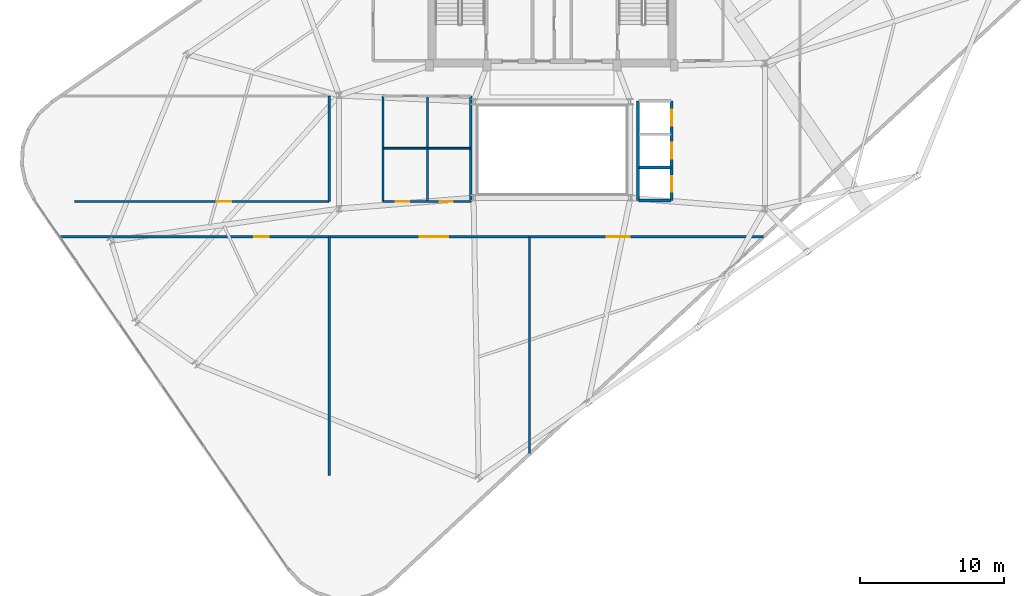
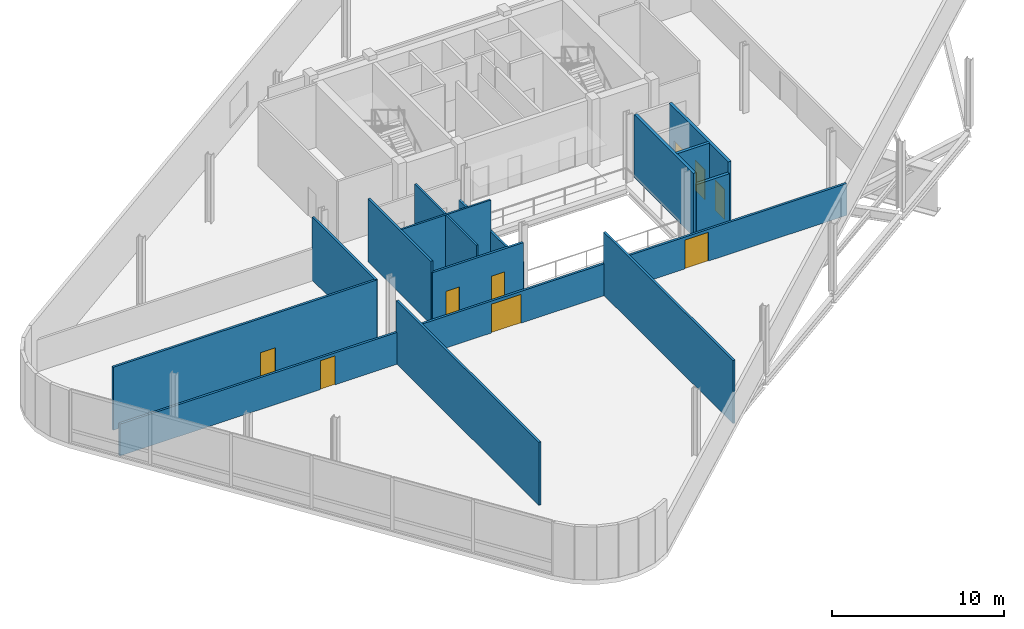
# One storey, part 11 of 15: 14 walls, 9 doors, 9 openings.
"""IFC4 building model written with IfcOpenShell, lengths in metres."""

from ifc_helpers import new_model, si_unit, direction, frame, frame_2d, origin, place, context, subcontext, project, spatial, rectangle, extrude, material, layer, layer_set, type_object, element, fill, save


model = new_model("IFC4")

# Units and contexts
model_context = context("Model", 3, precision=1e-05, world=origin(), true_north=direction((0.0, 1.0)))
body_context = subcontext(model_context, "Body", "Model", "MODEL_VIEW")
ifc_project = project(units=[si_unit("LENGTHUNIT", "METRE"), si_unit("AREAUNIT", "SQUARE_METRE"), si_unit("VOLUMEUNIT", "CUBIC_METRE"), si_unit("PLANEANGLEUNIT", "RADIAN"), si_unit("MASSUNIT", "GRAM", prefix="KILO")], contexts=[model_context])

# Site, building, storey
site_placement = place(None, origin())
site = spatial("IfcSite", under=ifc_project, at=site_placement, CompositionType="ELEMENT")
building_placement = place(site_placement, origin())
building = spatial("IfcBuilding", under=site, at=building_placement, Name="Varnelok Gate Tower", CompositionType="ELEMENT")
storey_placement = place(building_placement, frame((0.0, 0.0, 291.5)))
storey = spatial("IfcBuildingStorey", under=building, at=storey_placement, Name="L75", CompositionType="ELEMENT", Elevation=291.5)

# Walls
ifc_material_1 = material(Name="Gypsum Plasterboard Acoustic Partition", Category="gypsum")
ifc_layer_1 = layer(ifc_material_1, 0.125)
ifc_layer_set_1 = layer_set([ifc_layer_1], Name="Gypsum Plasterboard Acoustic Partition")
wall_type_1 = type_object("IfcWallType", Name="PW-PART-125", PredefinedType="PARTITIONING", material=ifc_layer_set_1)
wall_1_placement = place(storey_placement, frame((30.550048828125, 19.3798828125, 0.0), z_axis=(0.0, 0.0, 1.0), x_axis=(0.0, 1.0, 0.0)))
element("IfcWall", 1, at=wall_1_placement, inside=storey, type_object=wall_type_1, Name="Interior Partition", PredefinedType="PARTITIONING", context=body_context, shape_type="SweptSolid", body=[
    extrude(rectangle(XDim=7.18017578125, YDim=0.125, at=frame_2d((3.590087890625, 0.0))), origin(), (0.0, 0.0, 1.0), 4.47998046875),
])
wall_2_placement = place(storey_placement, frame((27.52001953125, 23.0, 0.0), z_axis=(0.0, 0.0, 1.0), x_axis=(1.0, 0.0, 0.0)))
element("IfcWall", 2, at=wall_2_placement, inside=storey, type_object=wall_type_1, Name="Interior Partition", PredefinedType="PARTITIONING", context=body_context, shape_type="SweptSolid", body=[
    extrude(rectangle(XDim=6.0, YDim=0.125, at=frame_2d((3.0, 0.0))), origin(), (0.0, 0.0, 1.0), 4.47998046875),
])

# Wall, openings, doors
ifc_layer_2 = layer(ifc_material_1, 0.14990234375)
ifc_layer_set_2 = layer_set([ifc_layer_2], Name="Gypsum Plasterboard Acoustic Partition")
wall_type_2 = type_object("IfcWallType", Name="PW-PART-150", PredefinedType="PARTITIONING", material=ifc_layer_set_2)
wall_3_placement = place(storey_placement, frame((27.4599609375, 19.300048828125, 0.0), z_axis=(0.0, 0.0, 1.0), x_axis=(1.0, 0.0, 0.0)))
wall_3 = element("IfcWall", 3, at=wall_3_placement, inside=storey, type_object=wall_type_2, Name="Interior Partition", PredefinedType="PARTITIONING", context=body_context, shape_type="SweptSolid", body=[
    extrude(rectangle(XDim=6.10009765625, YDim=0.14990234375, at=frame_2d((3.050048828125, 0.0))), origin(), (0.0, 0.0, 1.0), 3.69189453125),
])
opening_1_placement = place(wall_3_placement, frame((0.89990234375, 0.0, 0.0)))
opening_1 = element("IfcOpeningElement", 4, at=opening_1_placement, cuts=wall_3, Name="Opening D-I3", PredefinedType="OPENING", context=body_context, shape_type="SweptSolid", body=[
    extrude(rectangle(XDim=0.919921875, YDim=2.050048828125, at=frame_2d((0.4599609375, 1.02490234375))), frame((0.0, 0.0849609375, 0.0), z_axis=(0.0, -1.0, 0.0), x_axis=(1.0, 0.0, 0.0)), (0.0, 0.0, 1.0), 0.169921875),
])
opening_2_placement = place(wall_3_placement, frame((3.949951171875, 0.0, 0.0)))
opening_2 = element("IfcOpeningElement", 5, at=opening_2_placement, cuts=wall_3, Name="Opening D-WC", PredefinedType="OPENING", context=body_context, shape_type="SweptSolid", body=[
    extrude(rectangle(XDim=0.89990234375, YDim=2.050048828125, at=frame_2d((0.449951171875, 1.02490234375))), frame((0.0, 0.0849609375, 0.0), z_axis=(0.0, -1.0, 0.0), x_axis=(1.0, 0.0, 0.0)), (0.0, 0.0, 1.0), 0.169921875),
])
ifc_material_2 = material(Name="Engineered Hardwood Timber", Category="wood")
door_type_1 = type_object("IfcDoorType", Name="DR-BATH-900", OperationType="NOTDEFINED", PredefinedType="DOOR", material=ifc_material_2)
door_1_placement = place(opening_2_placement, origin())
door_1 = element("IfcDoor", 6, at=door_1_placement, inside=storey, type_object=door_type_1, Name="L75 Accessible WC Door", OperationType="SINGLE_SWING_LEFT", OverallHeight=2.050048828125, OverallWidth=0.89990234375, PredefinedType="DOOR", context=body_context, shape_type="SweptSolid", body=[
    extrude(rectangle(XDim=0.89990234375, YDim=2.050048828125, at=frame_2d((0.449951171875, 1.02490234375))), frame((0.0, 0.02490234375, 0.0), z_axis=(0.0, -1.0, 0.0), x_axis=(1.0, 0.0, 0.0)), (0.0, 0.0, 1.0), 0.050048828125),
])
fill(opening_2, door_1)
door_type_2 = type_object("IfcDoorType", Name="DR-INT-920", OperationType="NOTDEFINED", PredefinedType="DOOR", material=ifc_material_2)
door_2_placement = place(opening_1_placement, origin())
door_2 = element("IfcDoor", 7, at=door_2_placement, inside=storey, type_object=door_type_2, Name="L75 Sky Pantry Door", OperationType="SINGLE_SWING_RIGHT", OverallHeight=2.050048828125, OverallWidth=0.919921875, PredefinedType="DOOR", context=body_context, shape_type="SweptSolid", body=[
    extrude(rectangle(XDim=0.919921875, YDim=2.050048828125, at=frame_2d((0.4599609375, 1.02490234375))), frame((0.0, 0.02490234375, 0.0), z_axis=(0.0, -1.0, 0.0), x_axis=(1.0, 0.0, 0.0)), (0.0, 0.0, 1.0), 0.050048828125),
])
fill(opening_1, door_2)

# Walls
wall_4_placement = place(storey_placement, frame((27.4599609375, 19.300048828125, 0.0), z_axis=(0.0, 0.0, 1.0), x_axis=(0.0, 1.0, 0.0)))
element("IfcWall", 8, at=wall_4_placement, inside=storey, type_object=wall_type_2, Name="Interior Partition", PredefinedType="PARTITIONING", context=body_context, shape_type="SweptSolid", body=[
    extrude(rectangle(XDim=7.33984375, YDim=0.14990234375, at=frame_2d((3.669921875, 0.0))), origin(), (0.0, 0.0, 1.0), 4.47998046875),
])
wall_5_placement = place(storey_placement, frame((33.56005859375, 19.300048828125, 0.0), z_axis=(0.0, 0.0, 1.0), x_axis=(0.0, 1.0, 0.0)))
element("IfcWall", 9, at=wall_5_placement, inside=storey, type_object=wall_type_2, Name="Interior Partition", PredefinedType="PARTITIONING", context=body_context, shape_type="SweptSolid", body=[
    extrude(rectangle(XDim=7.33984375, YDim=0.14990234375, at=frame_2d((3.669921875, 0.0))), origin(), (0.0, 0.0, 1.0), 2.264892578125),
])

# Wall, openings, doors
wall_6_placement = place(storey_placement, frame((5.037841796875, 16.85009765625, 0.0), z_axis=(0.0, 0.0, 1.0), x_axis=(1.0, 0.0, 0.0)))
wall_6 = element("IfcWall", 10, at=wall_6_placement, inside=storey, type_object=wall_type_2, Name="Interior Partition", PredefinedType="PARTITIONING", context=body_context, shape_type="SweptSolid", body=[
    extrude(rectangle(XDim=48.853759765625, YDim=0.14990234375, at=frame_2d((24.4267578125, 0.0))), origin(), (0.0, 0.0, 1.0), 2.264892578125),
])
opening_3_placement = place(wall_6_placement, frame((13.462158203125, 0.0, 0.0)))
opening_3 = element("IfcOpeningElement", 11, at=opening_3_placement, cuts=wall_6, Name="Opening D-I1", PredefinedType="OPENING", context=body_context, shape_type="SweptSolid", body=[
    extrude(rectangle(XDim=1.0, YDim=2.050048828125, at=frame_2d((0.5, 1.02490234375))), frame((0.0, 0.0849609375, 0.0), z_axis=(0.0, -1.0, 0.0), x_axis=(1.0, 0.0, 0.0)), (0.0, 0.0, 1.0), 0.169921875),
])
opening_4_placement = place(wall_6_placement, frame((24.962158203125, 0.0, 0.0)))
opening_4 = element("IfcOpeningElement", 12, at=opening_4_placement, cuts=wall_6, Name="Opening D-BL", PredefinedType="OPENING", context=body_context, shape_type="SweptSolid", body=[
    extrude(rectangle(XDim=2.0, YDim=2.050048828125, at=frame_2d((1.0, 1.02490234375))), frame((0.0, 0.0849609375, 0.0), z_axis=(0.0, -1.0, 0.0), x_axis=(1.0, 0.0, 0.0)), (0.0, 0.0, 1.0), 0.169921875),
])
opening_5_placement = place(wall_6_placement, frame((37.962158203125, 0.0, 0.0)))
opening_5 = element("IfcOpeningElement", 13, at=opening_5_placement, cuts=wall_6, Name="Opening D-PL", PredefinedType="OPENING", context=body_context, shape_type="SweptSolid", body=[
    extrude(rectangle(XDim=1.60009765625, YDim=2.050048828125, at=frame_2d((0.800048828125, 1.02490234375))), frame((0.0, 0.0849609375, 0.0), z_axis=(0.0, -1.0, 0.0), x_axis=(1.0, 0.0, 0.0)), (0.0, 0.0, 1.0), 0.169921875),
])
door_type_3 = type_object("IfcDoorType", Name="DR-BALL-2000", OperationType="DOUBLE_DOOR_SINGLE_SWING", PredefinedType="DOOR", material=ifc_material_2)
door_3_placement = place(opening_4_placement, origin())
door_3 = element("IfcDoor", 14, at=door_3_placement, inside=storey, type_object=door_type_3, Name="L75 Sky Restaurant Entrance", OperationType="DOUBLE_DOOR_SINGLE_SWING", OverallHeight=2.050048828125, OverallWidth=2.0, PredefinedType="DOOR", context=body_context, shape_type="SweptSolid", body=[
    extrude(rectangle(XDim=2.0, YDim=2.050048828125, at=frame_2d((1.0, 1.02490234375))), frame((0.0, 0.02490234375, 0.0), z_axis=(0.0, -1.0, 0.0), x_axis=(1.0, 0.0, 0.0)), (0.0, 0.0, 1.0), 0.050048828125),
])
fill(opening_4, door_3)
door_type_4 = type_object("IfcDoorType", Name="DR-INT-1000", OperationType="NOTDEFINED", PredefinedType="DOOR", material=ifc_material_2)
door_4_placement = place(opening_3_placement, origin())
door_4 = element("IfcDoor", 15, at=door_4_placement, inside=storey, type_object=door_type_4, Name="L75 Tasting Cellar Door", OperationType="SINGLE_SWING_LEFT", OverallHeight=2.050048828125, OverallWidth=1.0, PredefinedType="DOOR", context=body_context, shape_type="SweptSolid", body=[
    extrude(rectangle(XDim=1.0, YDim=2.050048828125, at=frame_2d((0.5, 1.02490234375))), frame((0.0, 0.02490234375, 0.0), z_axis=(0.0, -1.0, 0.0), x_axis=(1.0, 0.0, 0.0)), (0.0, 0.0, 1.0), 0.050048828125),
])
fill(opening_3, door_4)
ifc_material_3 = material(Name="Galvanized Steel Grade S350GD", Category="steel")
door_type_5 = type_object("IfcDoorType", Name="DR-PLANT-1600", OperationType="DOUBLE_DOOR_SINGLE_SWING", PredefinedType="DOOR", material=ifc_material_3)
door_5_placement = place(opening_5_placement, origin())
door_5 = element("IfcDoor", 16, at=door_5_placement, inside=storey, type_object=door_type_5, Name="L75 Sky Kitchen Door", OperationType="DOUBLE_DOOR_SINGLE_SWING", OverallHeight=2.050048828125, OverallWidth=1.60009765625, PredefinedType="DOOR", context=body_context, shape_type="SweptSolid", body=[
    extrude(rectangle(XDim=1.60009765625, YDim=2.050048828125, at=frame_2d((0.800048828125, 1.02490234375))), frame((0.0, 0.02490234375, 0.0), z_axis=(0.0, -1.0, 0.0), x_axis=(1.0, 0.0, 0.0)), (0.0, 0.0, 1.0), 0.050048828125),
])
fill(opening_5, door_5)

# Walls
wall_7_placement = place(storey_placement, frame((23.719970703125, 0.25, 0.0), z_axis=(0.0, 0.0, 1.0), x_axis=(0.0, 1.0, 0.0)))
element("IfcWall", 17, at=wall_7_placement, inside=storey, type_object=wall_type_2, Name="Interior Partition", PredefinedType="PARTITIONING", context=body_context, shape_type="SweptSolid", body=[
    extrude(rectangle(XDim=16.60009765625, YDim=0.14990234375, at=frame_2d((8.300048828125, 0.0))), origin(), (0.0, 0.0, 1.0), 4.47998046875),
])
wall_8_placement = place(storey_placement, frame((23.719970703125, 19.300048828125, 0.0), z_axis=(0.0, 0.0, 1.0), x_axis=(0.0, 1.0, 0.0)))
element("IfcWall", 18, at=wall_8_placement, inside=storey, type_object=wall_type_2, Name="Interior Partition", PredefinedType="PARTITIONING", context=body_context, shape_type="SweptSolid", body=[
    extrude(rectangle(XDim=7.33984375, YDim=0.14990234375, at=frame_2d((3.669921875, 0.0))), origin(), (0.0, 0.0, 1.0), 4.47998046875),
])

# Wall, opening, door
wall_9_placement = place(storey_placement, frame((6.0, 19.300048828125, 0.0), z_axis=(0.0, 0.0, 1.0), x_axis=(1.0, 0.0, 0.0)))
wall_9 = element("IfcWall", 19, at=wall_9_placement, inside=storey, type_object=wall_type_2, Name="Interior Partition", PredefinedType="PARTITIONING", context=body_context, shape_type="SweptSolid", body=[
    extrude(rectangle(XDim=17.719970703125, YDim=0.14990234375, at=frame_2d((8.85986328125, 0.0))), origin(), (0.0, 0.0, 1.0), 4.47998046875),
])
opening_6_placement = place(wall_9_placement, frame((9.910400390625, 0.0, 0.0)))
opening_6 = element("IfcOpeningElement", 20, at=opening_6_placement, cuts=wall_9, Name="Opening D-I1", PredefinedType="OPENING", context=body_context, shape_type="SweptSolid", body=[
    extrude(rectangle(XDim=1.0, YDim=2.050048828125, at=frame_2d((0.5, 1.02490234375))), frame((0.0, 0.0849609375, 0.0), z_axis=(0.0, -1.0, 0.0), x_axis=(1.0, 0.0, 0.0)), (0.0, 0.0, 1.0), 0.169921875),
])
door_6_placement = place(opening_6_placement, origin())
door_6 = element("IfcDoor", 21, at=door_6_placement, inside=storey, type_object=door_type_4, Name="L75 Decanting Lounge Door", OperationType="SINGLE_SWING_RIGHT", OverallHeight=2.050048828125, OverallWidth=1.0, PredefinedType="DOOR", context=body_context, shape_type="SweptSolid", body=[
    extrude(rectangle(XDim=1.0, YDim=2.050048828125, at=frame_2d((0.5, 1.02490234375))), frame((0.0, 0.02490234375, 0.0), z_axis=(0.0, -1.0, 0.0), x_axis=(1.0, 0.0, 0.0)), (0.0, 0.0, 1.0), 0.050048828125),
])
fill(opening_6, door_6)

# Walls
wall_10_placement = place(storey_placement, frame((37.64990234375, 1.778076171875, 0.0), z_axis=(0.0, 0.0, 1.0), x_axis=(0.0, 1.0, 0.0)))
element("IfcWall", 22, at=wall_10_placement, inside=storey, type_object=wall_type_2, Name="Interior Partition", PredefinedType="PARTITIONING", context=body_context, shape_type="SweptSolid", body=[
    extrude(rectangle(XDim=15.072021484375, YDim=0.14990234375, at=frame_2d((7.5361328125, 0.0))), origin(), (0.0, 0.0, 1.0), 4.47998046875),
])
ifc_material_4 = material(Name="Concrete C35/45", Category="concrete")
ifc_layer_3 = layer(ifc_material_4, 0.199951171875)
ifc_layer_set_3 = layer_set([ifc_layer_3], Name="Concrete C35/45")
wall_type_3 = type_object("IfcWallType", Name="PW-SHAFT-200", PredefinedType="PARTITIONING", material=ifc_layer_set_3)
wall_11_placement = place(storey_placement, frame((45.239990234375, 21.675048828125, 0.0), z_axis=(0.0, 0.0, 1.0), x_axis=(1.0, 0.0, 0.0)))
element("IfcWall", 23, at=wall_11_placement, inside=storey, type_object=wall_type_3, Name="L75 PH1 Divider", PredefinedType="PARTITIONING", context=body_context, shape_type="SweptSolid", body=[
    extrude(rectangle(XDim=2.219970703125, YDim=0.199951171875, at=frame_2d((1.10986328125, 0.0))), origin(), (0.0, 0.0, 1.0), 4.47998046875),
])
wall_12_placement = place(storey_placement, frame((45.239990234375, 19.3798828125, 0.0), z_axis=(0.0, 0.0, 1.0), x_axis=(1.0, 0.0, 0.0)))
element("IfcWall", 24, at=wall_12_placement, inside=storey, type_object=wall_type_3, Name="L75 PH Bank South Wall", PredefinedType="PARTITIONING", context=body_context, shape_type="SweptSolid", body=[
    extrude(rectangle(XDim=2.219970703125, YDim=0.199951171875, at=frame_2d((1.10986328125, 0.0))), origin(), (0.0, 0.0, 1.0), 3.69189453125),
])
wall_13_placement = place(storey_placement, frame((45.179931640625, 19.3798828125, 0.0), z_axis=(0.0, 0.0, 1.0), x_axis=(0.0, 1.0, 0.0)))
element("IfcWall", 25, at=wall_13_placement, inside=storey, type_object=wall_type_3, Name="L75 PH Bank Atrium Wall", PredefinedType="PARTITIONING", context=body_context, shape_type="SweptSolid", body=[
    extrude(rectangle(XDim=6.900146484375, YDim=0.199951171875, at=frame_2d((3.4501953125, 0.0))), origin(), (0.0, 0.0, 1.0), 4.47998046875),
])

# Wall, openings, doors
wall_14_placement = place(storey_placement, frame((47.52001953125, 19.3798828125, 0.0), z_axis=(0.0, 0.0, 1.0), x_axis=(0.0, 1.0, 0.0)))
wall_14 = element("IfcWall", 26, at=wall_14_placement, inside=storey, type_object=wall_type_3, Name="L75 PH Bank Front Wall", PredefinedType="PARTITIONING", context=body_context, shape_type="SweptSolid", body=[
    extrude(rectangle(XDim=6.900146484375, YDim=0.199951171875, at=frame_2d((3.4501953125, 0.0))), origin(), (0.0, 0.0, 1.0), 4.47998046875),
])
opening_7_placement = place(wall_14_placement, frame((0.590087890625, 0.0, 0.0)))
opening_7 = element("IfcOpeningElement", 27, at=opening_7_placement, cuts=wall_14, Name="Opening LD-PH1", PredefinedType="OPENING", context=body_context, shape_type="SweptSolid", body=[
    extrude(rectangle(XDim=1.10009765625, YDim=2.14990234375, at=frame_2d((0.550048828125, 1.074951171875))), frame((0.0, 0.10986328125, 0.0), z_axis=(0.0, -1.0, 0.0), x_axis=(1.0, 0.0, 0.0)), (0.0, 0.0, 1.0), 0.219970703125),
])
opening_8_placement = place(wall_14_placement, frame((2.889892578125, 0.0, 0.0)))
opening_8 = element("IfcOpeningElement", 28, at=opening_8_placement, cuts=wall_14, Name="Opening LD-PH2", PredefinedType="OPENING", context=body_context, shape_type="SweptSolid", body=[
    extrude(rectangle(XDim=1.10009765625, YDim=2.14990234375, at=frame_2d((0.550048828125, 1.074951171875))), frame((0.0, 0.10986328125, 0.0), z_axis=(0.0, -1.0, 0.0), x_axis=(1.0, 0.0, 0.0)), (0.0, 0.0, 1.0), 0.219970703125),
])
opening_9_placement = place(wall_14_placement, frame((5.18994140625, 0.0, 0.0)))
opening_9 = element("IfcOpeningElement", 29, at=opening_9_placement, cuts=wall_14, Name="Opening LD-PH3", PredefinedType="OPENING", context=body_context, shape_type="SweptSolid", body=[
    extrude(rectangle(XDim=1.10009765625, YDim=2.14990234375, at=frame_2d((0.550048828125, 1.074951171875))), frame((0.0, 0.10986328125, 0.0), z_axis=(0.0, -1.0, 0.0), x_axis=(1.0, 0.0, 0.0)), (0.0, 0.0, 1.0), 0.219970703125),
])
door_type_6 = type_object("IfcDoorType", Name="DR-LIFT-PAX1100", OperationType="SLIDING_TO_LEFT", PredefinedType="DOOR", material=ifc_material_3)
door_7_placement = place(opening_7_placement, origin())
door_7 = element("IfcDoor", 30, at=door_7_placement, inside=storey, type_object=door_type_6, Name="L75 Passenger Lift Landing Door LD-PH1", OperationType="SLIDING_TO_LEFT", OverallHeight=2.14990234375, OverallWidth=1.10009765625, PredefinedType="DOOR", context=body_context, shape_type="SweptSolid", body=[
    extrude(rectangle(XDim=1.10009765625, YDim=2.14990234375, at=frame_2d((0.550048828125, 1.074951171875))), frame((0.0, 0.02490234375, 0.0), z_axis=(0.0, -1.0, 0.0), x_axis=(1.0, 0.0, 0.0)), (0.0, 0.0, 1.0), 0.050048828125),
])
fill(opening_7, door_7)
door_8_placement = place(opening_8_placement, origin())
door_8 = element("IfcDoor", 31, at=door_8_placement, inside=storey, type_object=door_type_6, Name="L75 Passenger Lift Landing Door LD-PH2", OperationType="SLIDING_TO_LEFT", OverallHeight=2.14990234375, OverallWidth=1.10009765625, PredefinedType="DOOR", context=body_context, shape_type="SweptSolid", body=[
    extrude(rectangle(XDim=1.10009765625, YDim=2.14990234375, at=frame_2d((0.550048828125, 1.074951171875))), frame((0.0, 0.02490234375, 0.0), z_axis=(0.0, -1.0, 0.0), x_axis=(1.0, 0.0, 0.0)), (0.0, 0.0, 1.0), 0.050048828125),
])
fill(opening_8, door_8)
door_9_placement = place(opening_9_placement, origin())
door_9 = element("IfcDoor", 32, at=door_9_placement, inside=storey, type_object=door_type_6, Name="L75 Passenger Lift Landing Door LD-PH3", OperationType="SLIDING_TO_LEFT", OverallHeight=2.14990234375, OverallWidth=1.10009765625, PredefinedType="DOOR", context=body_context, shape_type="SweptSolid", body=[
    extrude(rectangle(XDim=1.10009765625, YDim=2.14990234375, at=frame_2d((0.550048828125, 1.074951171875))), frame((0.0, 0.02490234375, 0.0), z_axis=(0.0, -1.0, 0.0), x_axis=(1.0, 0.0, 0.0)), (0.0, 0.0, 1.0), 0.050048828125),
])
fill(opening_9, door_9)

save(model, "model.ifc")
